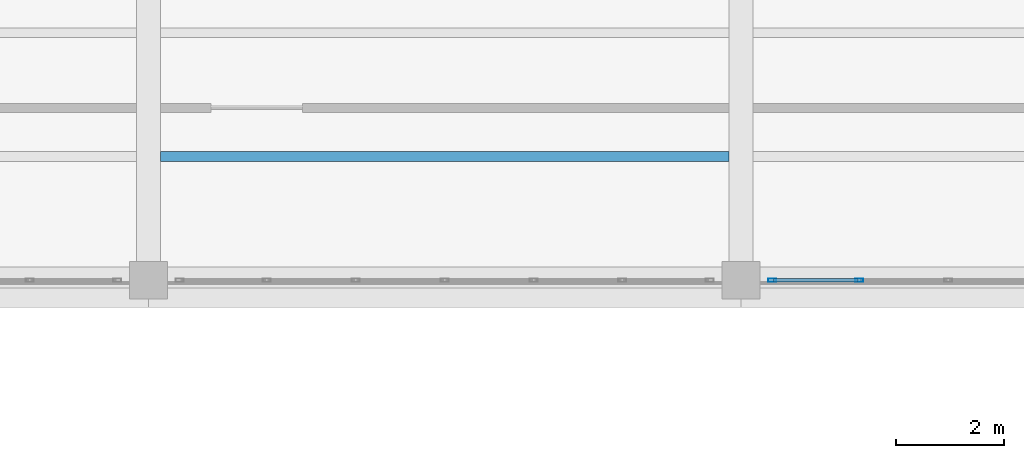
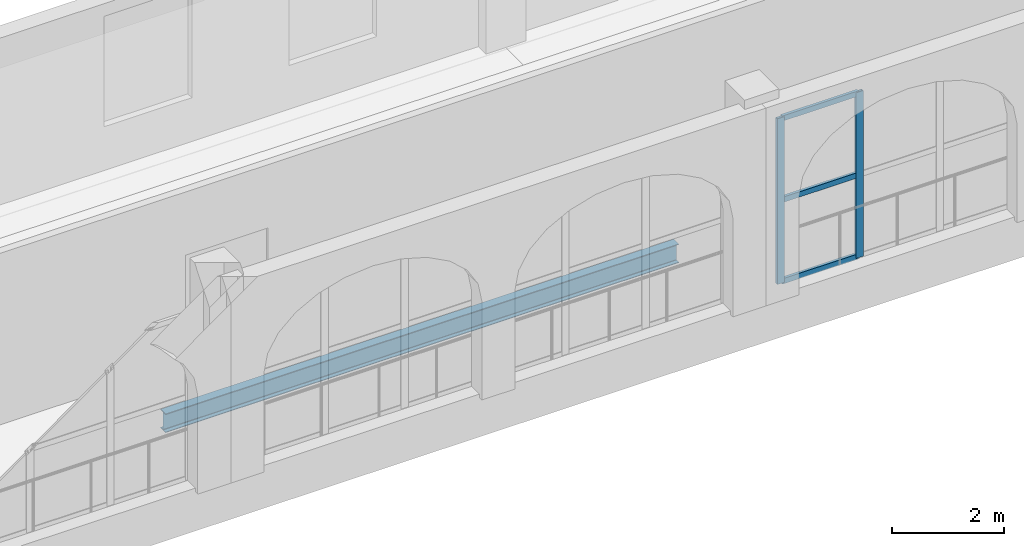
# One storey, part 52 of 156: 5 members, 1 beam, 1 element without a shape of its own.
"""IFC4 building model written with IfcOpenShell, lengths in metres."""

import ifcopenshell
import ifcopenshell.guid

model = None  # the IFC model being written
_history = None  # IfcOwnerHistory: only IFC2X3 demands one
_inside = {}  # id of a spatial element -> (the spatial element, [elements in it])
_under = {}  # id of a project, library or spatial element -> (it, [spatial elements below it])
_declared = {}  # id of a project -> (the project, [libraries it declares])
_typed = {}  # id of a type object -> (the type object, [elements of that type])
_made_of = {}  # id of a material, layer set ... -> (it, [elements and type objects made of it])


def new_model(schema):
    """Start an empty IFC model of exactly this schema.

    Asked for "IFC4X3", IfcOpenShell would pick the latest addendum, in which some entities
    have other attributes; the version numbers below select the first issue.
    IFC2X3 requires an IfcOwnerHistory on every rooted entity: one is made here for all.
    """
    global model, _history
    if schema == "IFC4X3":
        model = ifcopenshell.file(schema_version=(4, 3, 0, 0))
    else:
        model = ifcopenshell.file(schema=schema)
    _inside.clear()
    _under.clear()
    _declared.clear()
    _typed.clear()
    _made_of.clear()
    _history = None
    if model.schema == "IFC2X3":
        org = make("IfcOrganization", Name="unknown")
        user = make(
            "IfcPersonAndOrganization",
            ThePerson=make("IfcPerson", FamilyName="unknown"),
            TheOrganization=org,
        )
        app = make(
            "IfcApplication",
            ApplicationDeveloper=org,
            Version="unknown",
            ApplicationFullName="unknown",
            ApplicationIdentifier="unknown",
        )
        _history = make(
            "IfcOwnerHistory",
            OwningUser=user,
            OwningApplication=app,
            ChangeAction="ADDED",
            CreationDate=0,
        )
    return model


def make(cls, **values):
    """One entity of the class cls with the attributes given. An attribute that is None is left unset."""
    return model.create_entity(
        cls, **{name: value for name, value in values.items() if value is not None}
    )


def rooted(cls, **values):
    """An entity with a GlobalId (a new one), such as an element, a storey or a relation."""
    return make(cls, GlobalId=ifcopenshell.guid.new(), OwnerHistory=_history, **values)


def si_unit(unit_type, name, prefix=None):
    """IfcSIUnit, for example si_unit("LENGTHUNIT", "METRE", prefix="MILLI")."""
    return make("IfcSIUnit", UnitType=unit_type, Prefix=prefix, Name=name)


def assignment(units):
    """IfcUnitAssignment: the units of a project."""
    return None if units is None else make("IfcUnitAssignment", Units=units)


def point(xyz):
    """IfcCartesianPoint."""
    return None if xyz is None else make("IfcCartesianPoint", Coordinates=xyz)


def direction(xyz):
    """IfcDirection."""
    return None if xyz is None else make("IfcDirection", DirectionRatios=xyz)


def frame(location, z_axis=None, x_axis=None):
    """IfcAxis2Placement3D, a coordinate frame: its origin and axes. An axis left out is left unset."""
    return make(
        "IfcAxis2Placement3D",
        Location=point(location),
        Axis=direction(z_axis),
        RefDirection=direction(x_axis),
    )


def frame_2d(location, x_axis=None):
    """IfcAxis2Placement2D, a coordinate frame in the plane: its origin and x axis."""
    return make(
        "IfcAxis2Placement2D", Location=point(location), RefDirection=direction(x_axis)
    )


def origin():
    """The frame at (0, 0, 0) with its axes left unset."""
    return frame((0.0, 0.0, 0.0))


def origin_2d():
    """The frame at (0, 0) in the plane with its x axis left unset."""
    return frame_2d((0.0, 0.0))


def place(relative_to, where):
    """IfcLocalPlacement: puts the frame where relative to a parent placement (None: the world)."""
    return make(
        "IfcLocalPlacement", PlacementRelTo=relative_to, RelativePlacement=where
    )


def context(
    kind, dimensions, precision=None, world=None, true_north=None, identifier=None
):
    """IfcGeometricRepresentationContext, for example the 3D "Model" context."""
    return make(
        "IfcGeometricRepresentationContext",
        ContextIdentifier=identifier,
        ContextType=kind,
        CoordinateSpaceDimension=dimensions,
        Precision=precision,
        WorldCoordinateSystem=world,
        TrueNorth=true_north,
    )


def subcontext(parent, identifier, kind, view, scale=None):
    """IfcGeometricRepresentationSubContext, for example "Body" below "Model"."""
    return make(
        "IfcGeometricRepresentationSubContext",
        ContextIdentifier=identifier,
        ContextType=kind,
        ParentContext=parent,
        TargetScale=scale,
        TargetView=view,
    )


def project(units=None, contexts=None):
    """IfcProject with its units and contexts."""
    return rooted(
        "IfcProject",
        Name="project",
        RepresentationContexts=contexts,
        UnitsInContext=assignment(units),
    )


def spatial(cls, under=None, at=None, **own):
    """A site, building, storey or space (cls), placed at a placement, below another one or the project."""
    s = rooted(cls, ObjectPlacement=at, **own)
    if under is not None:
        _under.setdefault(under.id(), (under, []))[1].append(s)
    return s


def profile(cls, at=None, kind="AREA", **sizes):
    """A parametric profile (cls). Its sizes go by their IFC names, for example OverallWidth=200.0."""
    return make(cls, ProfileType=kind, Position=at, **sizes)


def hollow_rectangle(**sizes):
    """IfcRectangleHollowProfileDef."""
    return profile("IfcRectangleHollowProfileDef", **sizes)


def i_section(**sizes):
    """IfcIShapeProfileDef."""
    return profile("IfcIShapeProfileDef", **sizes)


def extrude(swept, where, along, depth):
    """IfcExtrudedAreaSolid: the profile swept, set in the frame where, extruded along a direction by depth."""
    return make(
        "IfcExtrudedAreaSolid",
        SweptArea=swept,
        Position=where,
        ExtrudedDirection=direction(along),
        Depth=depth,
    )


def shape(context_of_items, identifier, shape_type, items):
    """IfcShapeRepresentation: the items that make up one representation, for example the "Body"."""
    return make(
        "IfcShapeRepresentation",
        ContextOfItems=context_of_items,
        RepresentationIdentifier=identifier,
        RepresentationType=shape_type,
        Items=items,
    )


def material(Name=None, Category=None):
    """IfcMaterial."""
    return make("IfcMaterial", Name=Name, Category=Category)


def material_profile(
    of_material, cross_section, Name=None, Category=None, Priority=None
):
    """IfcMaterialProfile: a cross section and its material."""
    return make(
        "IfcMaterialProfile",
        Name=Name,
        Material=of_material,
        Profile=cross_section,
        Priority=Priority,
        Category=Category,
    )


def profile_set(profiles, Name=None, composite=None):
    """IfcMaterialProfileSet."""
    return make(
        "IfcMaterialProfileSet",
        Name=Name,
        MaterialProfiles=profiles,
        CompositeProfile=composite,
    )


def made_of(thing, what):
    """Note that an element or type object is made of a material, layer set ...; save() writes the relation."""
    if what is not None:
        _made_of.setdefault(what.id(), (what, []))[1].append(thing)
    return thing


def type_object(cls, material=None, **own):
    """A type object (cls), such as IfcWallType, which elements share."""
    return made_of(rooted(cls, **own), material)


def element(
    cls,
    number,
    at=None,
    inside=None,
    cuts=None,
    type_object=None,
    material=None,
    context=None,
    identifier="Body",
    shape_type=None,
    held_by="IfcProductDefinitionShape",
    body=None,
    shapes=None,
    **own,
):
    """One element of the class cls, such as IfcWall. Its Tag is "e" and its number.

    at: its placement. inside: the storey or other place that contains it. cuts: it is an
    opening in that element (IfcRelVoidsElement). A single representation is given by context,
    identifier, shape_type and body (its items); several are given by shapes. held_by: the class
    of the entity that holds the representations. save() writes the other relations.
    """
    e = rooted(cls, Tag="e%d" % number, ObjectPlacement=at, **own)
    if body is not None:
        shapes = [shape(context, identifier, shape_type, body)]
    if shapes is not None:
        e.Representation = make(held_by, Representations=shapes)
    if inside is not None:
        _inside.setdefault(inside.id(), (inside, []))[1].append(e)
    if cuts is not None:
        rooted(
            "IfcRelVoidsElement", RelatingBuildingElement=cuts, RelatedOpeningElement=e
        )
    if type_object is not None:
        _typed.setdefault(type_object.id(), (type_object, []))[1].append(e)
    return made_of(e, material)


def aggregate(whole, parts):
    """IfcRelAggregates: a whole, such as a stair, and the parts it consists of."""
    return rooted("IfcRelAggregates", RelatingObject=whole, RelatedObjects=parts)


def save(model, path):
    """Write the relations noted so far, then the file.

    IfcRelAggregates (storeys below a building ...), IfcRelContainedInSpatialStructure (elements
    in a storey), IfcRelDefinesByType, IfcRelAssociatesMaterial and IfcRelDeclares: one each for
    every whole, place, type object, material and project.
    """
    for whole, parts in _under.values():
        aggregate(whole, parts)
    for where, things in _inside.values():
        rooted(
            "IfcRelContainedInSpatialStructure",
            RelatedElements=things,
            RelatingStructure=where,
        )
    for kind, things in _typed.values():
        rooted("IfcRelDefinesByType", RelatedObjects=things, RelatingType=kind)
    for what, things in _made_of.values():
        rooted("IfcRelAssociatesMaterial", RelatedObjects=things, RelatingMaterial=what)
    for by, libraries in _declared.values():
        rooted("IfcRelDeclares", RelatingContext=by, RelatedDefinitions=libraries)
    model.write(path)


model = new_model("IFC4")

# Units and contexts
model_context = context("Model", 3, precision=1e-05, world=origin(), true_north=direction((0.0, 1.0)))
body_context = subcontext(model_context, "Body", "Model", "MODEL_VIEW")
ifc_project = project(units=[si_unit("LENGTHUNIT", "METRE"), si_unit("AREAUNIT", "SQUARE_METRE"), si_unit("VOLUMEUNIT", "CUBIC_METRE"), si_unit("PLANEANGLEUNIT", "RADIAN"), si_unit("MASSUNIT", "GRAM", prefix="KILO")], contexts=[model_context])

# Site, building, storey
site_placement = place(None, origin())
site = spatial("IfcSite", under=ifc_project, at=site_placement, CompositionType="ELEMENT")
building_placement = place(site_placement, origin())
building = spatial("IfcBuilding", under=site, at=building_placement, Name="Caurita Quay Ferry Terminal", CompositionType="ELEMENT")
storey_placement = place(building_placement, frame((0.0, 0.0, 5.39990234375)))
storey = spatial("IfcBuildingStorey", under=building, at=storey_placement, Name="L01", CompositionType="ELEMENT", Elevation=5.39990234375)

# Beam
ifc_material_1 = material(Name="Structural steel ASTM A992 Gr. 50", Category="steel")
ifc_material_profile_1 = material_profile(ifc_material_1, i_section(OverallWidth=0.1787109375, OverallDepth=0.408935546875, WebThickness=0.0087890625, FlangeThickness=0.014404296875, FilletRadius=0.011474609375, at=origin_2d()), Name="W16X45")
ifc_profile_set_1 = profile_set([ifc_material_profile_1], Name="Structural steel ASTM A992 Gr. 50")
beam_type = type_object("IfcBeamType", Name="BM-JS-W16A", PredefinedType="JOIST", material=ifc_profile_set_1)
beam_placement = place(storey_placement, frame((33.22509765625, 110.10009765625, -0.42431640625), z_axis=(1.0, 0.0, 0.0), x_axis=(0.0, 1.0, 0.0)))
element("IfcBeam", 1, at=beam_placement, inside=storey, type_object=beam_type, Name="L01 Beam JS-V5-L01-029", PredefinedType="JOIST", context=body_context, shape_type="SweptSolid", body=[
    extrude(i_section(OverallWidth=0.1787109375, OverallDepth=0.408935546875, WebThickness=0.0087890625, FlangeThickness=0.014404296875, FilletRadius=0.011474609375, at=origin_2d()), origin(), (0.0, 0.0, 1.0), 10.5498046875),
])

# Curtain wall, members
ifc_material_2 = material(Name="Laminated solar-control insulated glass", Category="glass")
curtain_wall_type = type_object("IfcCurtainWallType", Name="CW-SYS-23", PredefinedType="NOTDEFINED", material=ifc_material_2)
curtain_wall_placement = place(storey_placement, origin())
curtain_wall = element("IfcCurtainWall", 2, at=curtain_wall_placement, inside=storey, type_object=curtain_wall_type, Name="L01 Courtyard Cloister Storefront 162", PredefinedType="NOTDEFINED")
ifc_material_3 = material(Name="Anodized aluminium 6063-T6", Category="aluminium")
ifc_material_profile_2 = material_profile(ifc_material_3, hollow_rectangle(XDim=0.06005859375, YDim=0.14990234375, WallThickness=0.00341796875, at=origin_2d()), Name="ALU-MUL-60X150")
ifc_profile_set_2 = profile_set([ifc_material_profile_2], Name="Anodized aluminium 6063-T6")
member_type_1 = type_object("IfcMemberType", Name="CW-MUL-150", PredefinedType="MULLION", material=ifc_profile_set_2)
member_1_placement = place(storey_placement, frame((44.580078125, 107.800048828125, 0.0), z_axis=(0.0, 0.0, 1.0), x_axis=(0.0, 1.0, 0.0)))
member_1 = element("IfcMember", 3, at=member_1_placement, type_object=member_type_1, Name="CW-CRT-162 Mullion 1", PredefinedType="MULLION", context=body_context, shape_type="SweptSolid", body=[
    extrude(hollow_rectangle(XDim=0.06005859375, YDim=0.14990234375, WallThickness=0.00341796875, at=origin_2d()), origin(), (0.0, 0.0, 1.0), 3.60009765625),
])
member_2_placement = place(storey_placement, frame((46.199951171875, 107.800048828125, 0.0), z_axis=(0.0, 0.0, 1.0), x_axis=(0.0, 1.0, 0.0)))
member_2 = element("IfcMember", 4, at=member_2_placement, type_object=member_type_1, Name="CW-CRT-162 Mullion 2", PredefinedType="MULLION", context=body_context, shape_type="SweptSolid", body=[
    extrude(hollow_rectangle(XDim=0.06005859375, YDim=0.14990234375, WallThickness=0.00341796875, at=origin_2d()), origin(), (0.0, 0.0, 1.0), 3.60009765625),
])
ifc_material_profile_3 = material_profile(ifc_material_3, hollow_rectangle(XDim=0.06005859375, YDim=0.114990234375, WallThickness=0.00341796875, at=origin_2d()), Name="ALU-TRN-60X115")
ifc_profile_set_3 = profile_set([ifc_material_profile_3], Name="Anodized aluminium 6063-T6")
member_type_2 = type_object("IfcMemberType", Name="CW-TRN-115", PredefinedType="USERDEFINED", material=ifc_profile_set_3)
member_3_placement = place(storey_placement, frame((44.60791015625, 107.800048828125, 0.030029296875), z_axis=(1.0, 0.0, 0.0), x_axis=(0.0, 1.0, 0.0)))
member_3 = element("IfcMember", 5, at=member_3_placement, type_object=member_type_2, Name="CW-CRT-162 Transom 1", ObjectType="TRANSOM", PredefinedType="USERDEFINED", context=body_context, shape_type="SweptSolid", body=[
    extrude(hollow_rectangle(XDim=0.06005859375, YDim=0.114990234375, WallThickness=0.00341796875, at=origin_2d()), origin(), (0.0, 0.0, 1.0), 1.564208984375),
])
member_4_placement = place(storey_placement, frame((44.60791015625, 107.800048828125, 1.800048828125), z_axis=(1.0, 0.0, 0.0), x_axis=(0.0, 1.0, 0.0)))
member_4 = element("IfcMember", 6, at=member_4_placement, type_object=member_type_2, Name="CW-CRT-162 Transom 2", ObjectType="TRANSOM", PredefinedType="USERDEFINED", context=body_context, shape_type="SweptSolid", body=[
    extrude(hollow_rectangle(XDim=0.06005859375, YDim=0.114990234375, WallThickness=0.00341796875, at=origin_2d()), origin(), (0.0, 0.0, 1.0), 1.564208984375),
])
member_5_placement = place(storey_placement, frame((44.60791015625, 107.800048828125, 3.570068359375), z_axis=(1.0, 0.0, 0.0), x_axis=(0.0, 1.0, 0.0)))
member_5 = element("IfcMember", 7, at=member_5_placement, type_object=member_type_2, Name="CW-CRT-162 Transom 3", ObjectType="TRANSOM", PredefinedType="USERDEFINED", context=body_context, shape_type="SweptSolid", body=[
    extrude(hollow_rectangle(XDim=0.06005859375, YDim=0.114990234375, WallThickness=0.00341796875, at=origin_2d()), origin(), (0.0, 0.0, 1.0), 1.564208984375),
])
aggregate(curtain_wall, [member_1, member_2, member_3, member_4, member_5])

save(model, "model.ifc")
